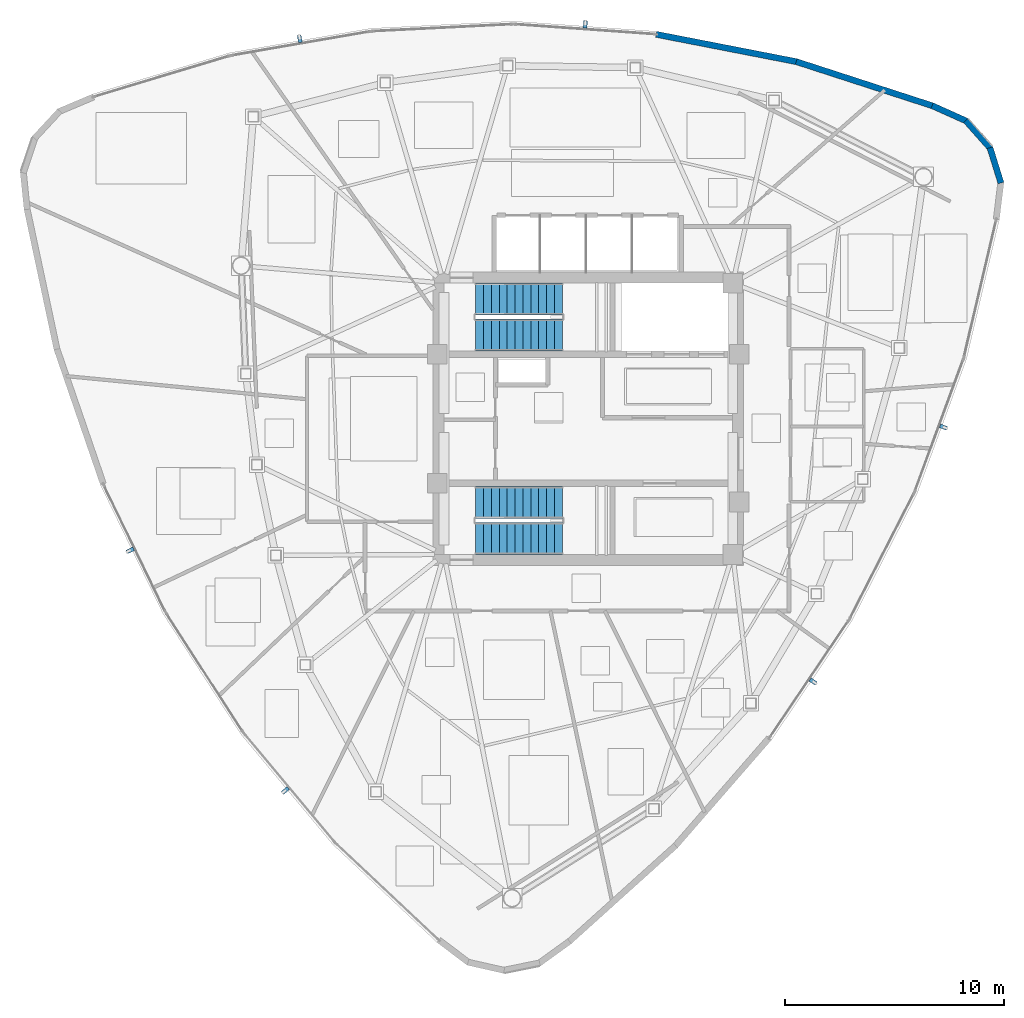
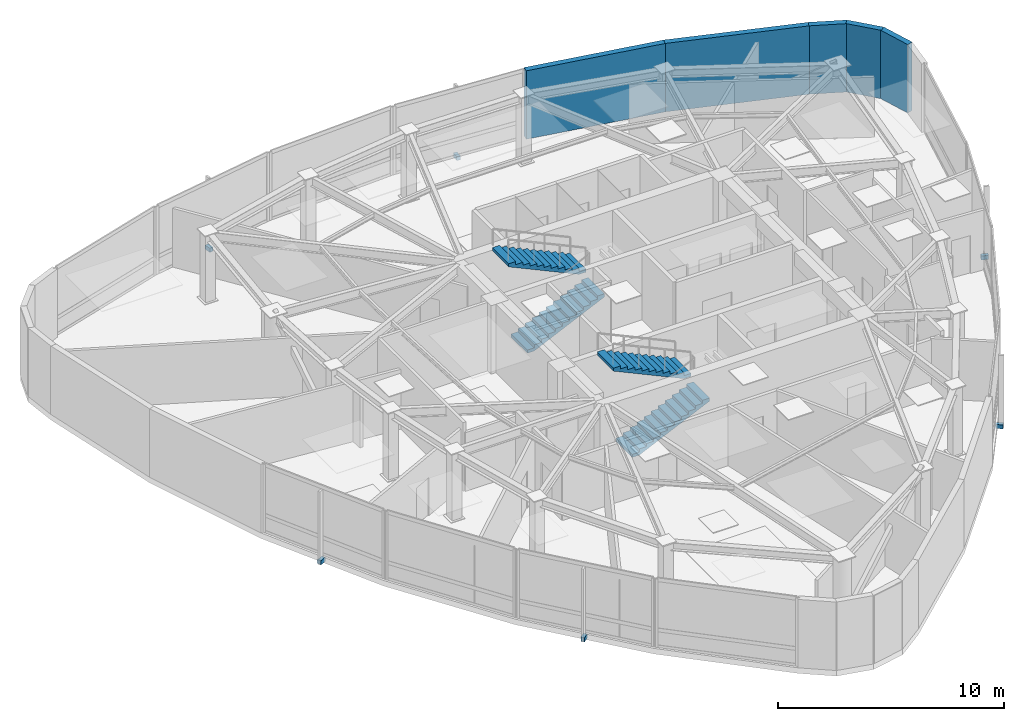
# One storey, part 10 of 12: 6 discrete accessories, 5 walls, 4 stair flights, 2 elements without a shape of their own.
"""IFC4 building model written with IfcOpenShell, lengths in metres."""

from ifc_helpers import new_model, si_unit, direction, frame, frame_2d, origin, origin_2d, place, context, subcontext, project, spatial, polyline, rectangle, outline, extrude, source, transform, mapped, material, layer, layer_set, type_object, type_shapes, element, aggregate, save


model = new_model("IFC4")

# Units and contexts
model_context = context("Model", 3, precision=1e-05, world=origin(), true_north=direction((0.0, 1.0)))
body_context = subcontext(model_context, "Body", "Model", "MODEL_VIEW")
ifc_project = project(units=[si_unit("LENGTHUNIT", "METRE"), si_unit("AREAUNIT", "SQUARE_METRE"), si_unit("VOLUMEUNIT", "CUBIC_METRE"), si_unit("PLANEANGLEUNIT", "RADIAN"), si_unit("MASSUNIT", "GRAM", prefix="KILO")], contexts=[model_context])

# Site, building, storey
site_placement = place(None, origin())
site = spatial("IfcSite", under=ifc_project, at=site_placement, CompositionType="ELEMENT")
building_placement = place(site_placement, origin())
building = spatial("IfcBuilding", under=site, at=building_placement, Name="Tavelor Broadcast Tower", CompositionType="ELEMENT")
storey_placement = place(building_placement, frame((0.0, 0.0, 293.5)))
storey = spatial("IfcBuildingStorey", under=building, at=storey_placement, Name="L70", CompositionType="ELEMENT", Elevation=293.5)

# Walls
ifc_material_1 = material(Name="Precast Concrete C40/50", Category="concrete")
ifc_layer = layer(ifc_material_1, 0.280029296875)
ifc_layer_set = layer_set([ifc_layer], Name="Precast Concrete C40/50")
wall_type = type_object("IfcWallType", Name="Insulated Precast Terracotta Facade Wall 280 mm", PredefinedType="STANDARD", material=ifc_layer_set)
for number, where, z_axis, x_axis, name in (
    (1, (68.8603515625, 55.776123046875, 0.0), (0.0, 0.0, 1.0), (-0.296571870006, 0.955010537073, 0.0), "L70 Rounded Corner Structural Cladding Pier 22"),
    (2, (68.37353515625, 57.36474609375, 0.0), (0.0, 0.0, 1.0), (-0.663278092518, 0.748373016607, 0.0), "L70 Rounded Corner Structural Cladding Pier 23"),
):
    element("IfcWall", number, at=place(storey_placement, frame(where, z_axis=z_axis, x_axis=x_axis)), inside=storey, type_object=wall_type, Name=name, PredefinedType="STANDARD", context=body_context, shape_type="SweptSolid", body=[
        extrude(rectangle(XDim=1.68994140625, YDim=0.280029296875, at=frame_2d((0.844970703125, 0.0))), origin(), (0.0, 0.0, 1.0), 3.699951171875),
    ])
wall_1_placement = place(storey_placement, frame((67.276123046875, 58.612060546875, 0.0), z_axis=(0.0, 0.0, 1.0), x_axis=(-0.912478129696, 0.409125485428, 0.0)))
element("IfcWall", 3, at=wall_1_placement, inside=storey, type_object=wall_type, Name="L70 Rounded Corner Structural Cladding Pier 24", PredefinedType="STANDARD", context=body_context, shape_type="SweptSolid", body=[
    extrude(rectangle(XDim=1.712646484375, YDim=0.280029296875, at=frame_2d((0.8564453125, 0.0))), origin(), (0.0, 0.0, 1.0), 3.699951171875),
])
wall_2_placement = place(storey_placement, frame((65.741455078125, 59.302001953125, 0.0), z_axis=(0.0, 0.0, 1.0), x_axis=(-0.951186517071, 0.308616606395, 0.0)))
element("IfcWall", 4, at=wall_2_placement, inside=storey, type_object=wall_type, Name="L70 Rounded Corner Structural Cladding Pier 25", PredefinedType="STANDARD", context=body_context, shape_type="SweptSolid", body=[
    extrude(rectangle(XDim=6.56201171875, YDim=0.280029296875, at=frame_2d((3.281005859375, 0.0))), origin(), (0.0, 0.0, 1.0), 3.699951171875),
])
wall_3_placement = place(storey_placement, frame((59.52880859375, 61.319580078125, 0.0), z_axis=(0.0, 0.0, 1.0), x_axis=(-0.981534993625, 0.191282660715, 0.0)))
element("IfcWall", 5, at=wall_3_placement, inside=storey, type_object=wall_type, Name="L70 Rounded Corner Structural Cladding Pier 26", PredefinedType="STANDARD", context=body_context, shape_type="SweptSolid", body=[
    extrude(rectangle(XDim=6.550048828125, YDim=0.280029296875, at=frame_2d((3.27490234375, 0.0))), origin(), (0.0, 0.0, 1.0), 3.699951171875),
])

# Stair, stair flights
ifc_material_2 = material(Name="Concrete C40/50", Category="concrete")
stair_type = type_object("IfcStairType", Name="Reinforced Concrete Protected Dogleg Stair 1450 mm", PredefinedType="HALF_TURN_STAIR", material=ifc_material_2)
stair_1_placement = place(storey_placement, origin())
stair_1 = element("IfcStair", 6, at=stair_1_placement, inside=storey, type_object=stair_type, Name="L70 Protected Core Exit Stair ST1", PredefinedType="HALF_TURN_STAIR")
stair_flight_type = type_object("IfcStairFlightType", Name="Reinforced Concrete Stair Flight 1450 mm", PredefinedType="STRAIGHT", material=ifc_material_2)
stair_flight_1_placement = place(storey_placement, frame((44.85009765625, 48.824951171875, 0.0), z_axis=(0.0, 0.0, 1.0), x_axis=(1.0, 0.0, 0.0)))
stair_flight_1 = element("IfcStairFlight", 7, at=stair_flight_1_placement, type_object=stair_flight_type, Name="ST1 flight 1", NumberOfRisers=12, NumberOfTreads=11, PredefinedType="STRAIGHT", RiserHeight=0.166666667, TreadLength=0.36, context=body_context, shape_type="SweptSolid", body=[
    extrude(outline(polyline([(0.0, 0.0), (0.0, 0.166748046875), (0.360107421875, 0.166748046875), (0.360107421875, 0.333251953125), (0.719970703125, 0.333251953125), (0.719970703125, 0.5), (1.080078125, 0.5), (1.080078125, 0.666748046875), (1.43994140625, 0.666748046875), (1.43994140625, 0.833251953125), (1.800048828125, 0.833251953125), (1.800048828125, 1.0), (2.159912109375, 1.0), (2.159912109375, 1.166748046875), (2.52001953125, 1.166748046875), (2.52001953125, 1.333251953125), (2.8798828125, 1.333251953125), (2.8798828125, 1.5), (3.239990234375, 1.5), (3.239990234375, 1.666748046875), (3.60009765625, 1.666748046875), (3.60009765625, 1.833251953125), (3.9599609375, 1.833251953125), (3.9599609375, 2.0), (3.9599609375, 1.668212890625), (0.356689453125, 0.0), (0.0, 0.0)])), frame((0.0, 0.72509765625, 0.0), z_axis=(0.0, -1.0, 0.0), x_axis=(1.0, 0.0, 0.0)), (0.0, 0.0, 1.0), 1.449951171875),
])
stair_flight_2_placement = place(storey_placement, frame((48.81005859375, 50.47509765625, 2.0), z_axis=(0.0, 0.0, 1.0), x_axis=(-1.0, 0.0, 0.0)))
stair_flight_2 = element("IfcStairFlight", 8, at=stair_flight_2_placement, type_object=stair_flight_type, Name="ST1 flight 2", NumberOfRisers=12, NumberOfTreads=11, PredefinedType="STRAIGHT", RiserHeight=0.166666667, TreadLength=0.36, context=body_context, shape_type="SweptSolid", body=[
    extrude(outline(polyline([(0.0, 0.0), (0.0, 0.166748046875), (0.360107421875, 0.166748046875), (0.360107421875, 0.333251953125), (0.719970703125, 0.333251953125), (0.719970703125, 0.5), (1.080078125, 0.5), (1.080078125, 0.666748046875), (1.43994140625, 0.666748046875), (1.43994140625, 0.833251953125), (1.800048828125, 0.833251953125), (1.800048828125, 1.0), (2.159912109375, 1.0), (2.159912109375, 1.166748046875), (2.52001953125, 1.166748046875), (2.52001953125, 1.333251953125), (2.8798828125, 1.333251953125), (2.8798828125, 1.5), (3.239990234375, 1.5), (3.239990234375, 1.666748046875), (3.60009765625, 1.666748046875), (3.60009765625, 1.833251953125), (3.9599609375, 1.833251953125), (3.9599609375, 2.0), (3.9599609375, 1.668212890625), (0.356689453125, 0.0), (0.0, 0.0)])), frame((0.0, 0.72509765625, 0.0), z_axis=(0.0, -1.0, 0.0), x_axis=(1.0, 0.0, 0.0)), (0.0, 0.0, 1.0), 1.449951171875),
])
aggregate(stair_1, [stair_flight_1, stair_flight_2])

stair_2_placement = place(storey_placement, origin())
stair_2 = element("IfcStair", 9, at=stair_2_placement, inside=storey, type_object=stair_type, Name="L70 Protected Core Exit Stair ST2", PredefinedType="HALF_TURN_STAIR")
stair_flight_3_placement = place(storey_placement, frame((44.85009765625, 39.52490234375, 0.0), z_axis=(0.0, 0.0, 1.0), x_axis=(1.0, 0.0, 0.0)))
stair_flight_3 = element("IfcStairFlight", 10, at=stair_flight_3_placement, type_object=stair_flight_type, Name="ST2 flight 1", NumberOfRisers=12, NumberOfTreads=11, PredefinedType="STRAIGHT", RiserHeight=0.166666667, TreadLength=0.36, context=body_context, shape_type="SweptSolid", body=[
    extrude(outline(polyline([(0.0, 0.0), (0.0, 0.166748046875), (0.360107421875, 0.166748046875), (0.360107421875, 0.333251953125), (0.719970703125, 0.333251953125), (0.719970703125, 0.5), (1.080078125, 0.5), (1.080078125, 0.666748046875), (1.43994140625, 0.666748046875), (1.43994140625, 0.833251953125), (1.800048828125, 0.833251953125), (1.800048828125, 1.0), (2.159912109375, 1.0), (2.159912109375, 1.166748046875), (2.52001953125, 1.166748046875), (2.52001953125, 1.333251953125), (2.8798828125, 1.333251953125), (2.8798828125, 1.5), (3.239990234375, 1.5), (3.239990234375, 1.666748046875), (3.60009765625, 1.666748046875), (3.60009765625, 1.833251953125), (3.9599609375, 1.833251953125), (3.9599609375, 2.0), (3.9599609375, 1.668212890625), (0.356689453125, 0.0), (0.0, 0.0)])), frame((0.0, 0.72509765625, 0.0), z_axis=(0.0, -1.0, 0.0), x_axis=(1.0, 0.0, 0.0)), (0.0, 0.0, 1.0), 1.449951171875),
])
stair_flight_4_placement = place(storey_placement, frame((48.81005859375, 41.175048828125, 2.0), z_axis=(0.0, 0.0, 1.0), x_axis=(-1.0, 0.0, 0.0)))
stair_flight_4 = element("IfcStairFlight", 11, at=stair_flight_4_placement, type_object=stair_flight_type, Name="ST2 flight 2", NumberOfRisers=12, NumberOfTreads=11, PredefinedType="STRAIGHT", RiserHeight=0.166666667, TreadLength=0.36, context=body_context, shape_type="SweptSolid", body=[
    extrude(outline(polyline([(0.0, 0.0), (0.0, 0.166748046875), (0.360107421875, 0.166748046875), (0.360107421875, 0.333251953125), (0.719970703125, 0.333251953125), (0.719970703125, 0.5), (1.080078125, 0.5), (1.080078125, 0.666748046875), (1.43994140625, 0.666748046875), (1.43994140625, 0.833251953125), (1.800048828125, 0.833251953125), (1.800048828125, 1.0), (2.159912109375, 1.0), (2.159912109375, 1.166748046875), (2.52001953125, 1.166748046875), (2.52001953125, 1.333251953125), (2.8798828125, 1.333251953125), (2.8798828125, 1.5), (3.239990234375, 1.5), (3.239990234375, 1.666748046875), (3.60009765625, 1.666748046875), (3.60009765625, 1.833251953125), (3.9599609375, 1.833251953125), (3.9599609375, 2.0), (3.9599609375, 1.668212890625), (0.356689453125, 0.0), (0.0, 0.0)])), frame((0.0, 0.72509765625, 0.0), z_axis=(0.0, -1.0, 0.0), x_axis=(1.0, 0.0, 0.0)), (0.0, 0.0, 1.0), 1.449951171875),
])
aggregate(stair_2, [stair_flight_3, stair_flight_4])

# Discrete accessories
ifc_material_3 = material(Name="Steel S355", Category="steel")
discrete_accessory_type = type_object("IfcDiscreteAccessoryType", Name="Stainless Baguette Outrigger Support Bracket 260x180", PredefinedType="BRACKET", material=ifc_material_3)
shared_shape = source(origin(), body_context, "Body", "SweptSolid", [
    extrude(rectangle(XDim=0.179931640625, YDim=0.340087890625, at=origin_2d()), origin(), (0.0, 0.0, 1.0), 0.216064453125),
])
type_shapes(discrete_accessory_type, [shared_shape])
for number, where, z_axis, x_axis, name in (
    (12, (29.060546875, 38.986328125, -0.2578125), (0.0, 0.0, 1.0), (0.437115766651, -0.899405251566, 0.0), "L70 Baguette Outrigger Bracket 691"),
    (13, (36.15380859375, 28.01171875, -0.2578125), (0.0, 0.0, 1.0), (0.640511884034, -0.767948257639, 0.0), "L70 Baguette Outrigger Bracket 692"),
    (14, (60.277587890625, 32.990478515625, -0.2578125), (0.0, 0.0, 1.0), (0.560349912828, 0.828255984098, 0.0), "L70 Baguette Outrigger Bracket 693"),
    (15, (66.2353515625, 44.62060546875, -0.2578125), (0.0, 0.0, 1.0), (0.344806757891, 0.938673691819, 0.0), "L70 Baguette Outrigger Bracket 694"),
    (16, (49.86181640625, 63.023193359375, -0.2578125), (0.0, 0.0, 1.0), (-0.997465679479, 0.071149267469, 0.0), "L70 Baguette Outrigger Bracket 695"),
    (17, (36.810791015625, 62.36767578125, -0.2578125), (0.0, 0.0, 1.0), (-0.985318641925, -0.17072543418, 0.0), "L70 Baguette Outrigger Bracket 696"),
):
    element("IfcDiscreteAccessory", number, at=place(storey_placement, frame(where, z_axis=z_axis, x_axis=x_axis)), inside=storey, type_object=discrete_accessory_type, Name=name, PredefinedType="BRACKET", context=body_context, shape_type="MappedRepresentation", body=[
        mapped(shared_shape, transform((0.0, 0.0, 0.0), scale=1.0)),
    ])

save(model, "model.ifc")
